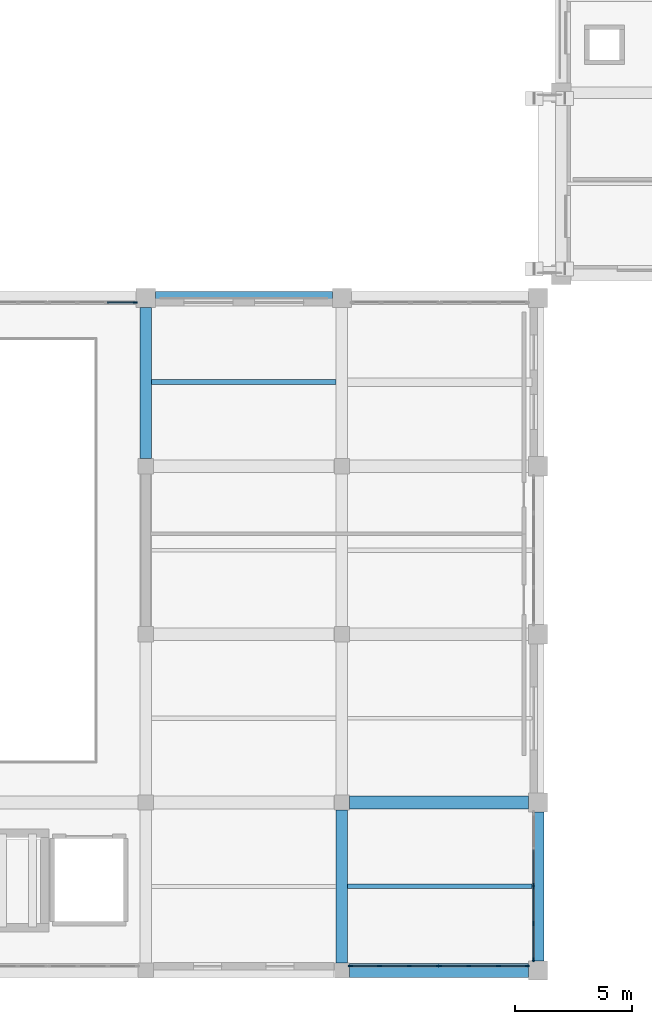
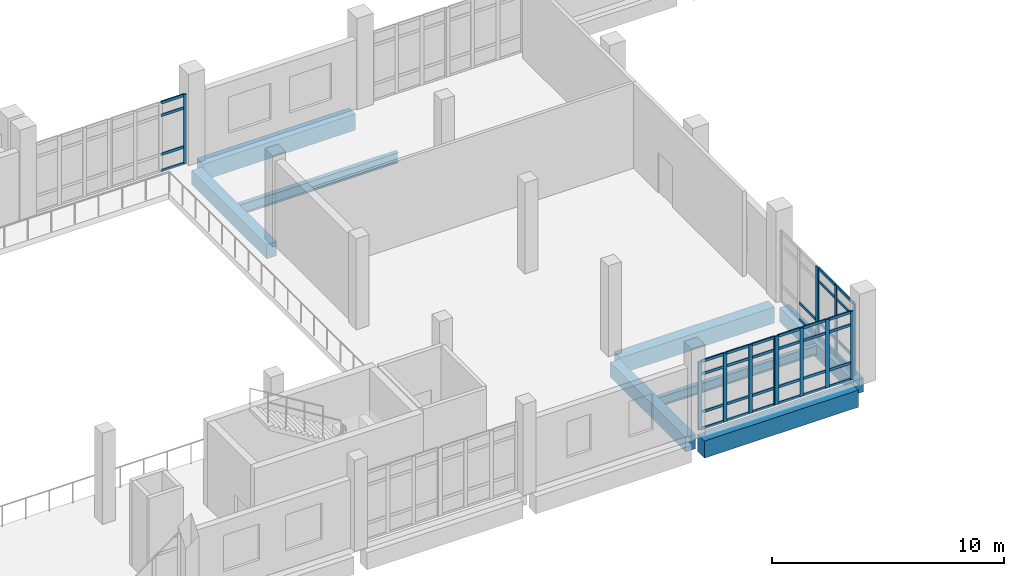
# One storey, part 6 of 90: 51 members, 8 beams, 5 elements without a shape of their own.
"""IFC4 building model written with IfcOpenShell, lengths in metres."""

from ifc_helpers import new_model, si_unit, direction, frame, origin, origin_2d, place, context, subcontext, project, spatial, rectangle, i_section, extrude, material, layer, layer_set, material_profile, profile_set, type_object, element, aggregate, save


model = new_model("IFC4")

# Units and contexts
model_context = context("Model", 3, precision=1e-05, world=origin(), true_north=direction((0.0, 1.0)))
body_context = subcontext(model_context, "Body", "Model", "MODEL_VIEW")
ifc_project = project(units=[si_unit("LENGTHUNIT", "METRE"), si_unit("AREAUNIT", "SQUARE_METRE"), si_unit("VOLUMEUNIT", "CUBIC_METRE"), si_unit("PLANEANGLEUNIT", "RADIAN"), si_unit("MASSUNIT", "GRAM", prefix="KILO")], contexts=[model_context])

# Site, building, storey
site_placement = place(None, origin())
site = spatial("IfcSite", under=ifc_project, at=site_placement, CompositionType="ELEMENT")
building_placement = place(site_placement, origin())
building = spatial("IfcBuilding", under=site, at=building_placement, Name="Kelarvand Opera House", CompositionType="ELEMENT")
storey_placement = place(building_placement, frame((0.0, 0.0, 5.39990234375)))
storey = spatial("IfcBuildingStorey", under=building, at=storey_placement, Name="L01", CompositionType="ELEMENT", Elevation=5.39990234375)

# Curtain wall, member
ifc_material_1 = material(Name="Thermally broken aluminium and low-E glazing", Category="aluminium")
ifc_layer_1 = layer(ifc_material_1, 0.179931640625, Name="Thermally broken aluminium and low-E glazing", Category="aluminium")
ifc_layer_set_1 = layer_set([ifc_layer_1], Name="Thermally broken aluminium and low-E glazing")
curtain_wall_type_1 = type_object("IfcCurtainWallType", Name="Unitised Low-E Curtain Wall 3776x3650 Mod 1350 CWF-27", PredefinedType="USERDEFINED", material=ifc_layer_set_1)
curtain_wall_1_placement = place(storey_placement, origin())
curtain_wall_1 = element("IfcCurtainWall", 1, at=curtain_wall_1_placement, inside=storey, type_object=curtain_wall_type_1, Name="V4 L01 Curtain Wall CWF-27 (126)", ObjectType="UNITISED CURTAIN WALL", PredefinedType="USERDEFINED")
ifc_material_2 = material(Name="Thermally broken anodised aluminium", Category="aluminium")
ifc_material_profile_1 = material_profile(ifc_material_2, rectangle(XDim=0.06494140625, YDim=0.179931640625, at=origin_2d()), Name="ALU MULLION 65x180", Category="aluminium")
ifc_profile_set_1 = profile_set([ifc_material_profile_1], Name="Thermally broken anodised aluminium")
member_type_1 = type_object("IfcMemberType", Name="Curtain Wall Mullion 65x180 Aluminium", PredefinedType="MULLION", material=ifc_profile_set_1)
member_1_placement = place(storey_placement, frame((33.74755859375, 37.6201171875, 0.0), z_axis=(0.0, 0.0, 1.0), x_axis=(0.0, 1.0, 0.0)))
member_1 = element("IfcMember", 2, at=member_1_placement, type_object=member_type_1, Name="CWF-27 mullion 4", PredefinedType="MULLION", context=body_context, shape_type="SweptSolid", body=[
    extrude(rectangle(XDim=0.06494140625, YDim=0.179931640625, at=origin_2d()), origin(), (0.0, 0.0, 1.0), 3.650146484375),
])

ifc_layer_2 = layer(ifc_material_1, 0.179931640625, Name="Thermally broken aluminium and low-E glazing", Category="aluminium")
ifc_layer_set_2 = layer_set([ifc_layer_2], Name="Thermally broken aluminium and low-E glazing")
curtain_wall_type_2 = type_object("IfcCurtainWallType", Name="Unitised Low-E Curtain Wall 3176x3730 Mod 1350 CWF-10", PredefinedType="USERDEFINED", material=ifc_layer_set_2)
curtain_wall_2_placement = place(storey_placement, origin())
curtain_wall_2 = element("IfcCurtainWall", 3, at=curtain_wall_2_placement, inside=storey, type_object=curtain_wall_type_2, Name="V4 L01 Curtain Wall CWF-10 (131)", ObjectType="UNITISED CURTAIN WALL", PredefinedType="USERDEFINED")
member_2_placement = place(storey_placement, frame((50.820068359375, 12.636474609375, 0.0), z_axis=(0.0, 0.0, 1.0), x_axis=(1.0, 0.0, 0.0)))
member_2 = element("IfcMember", 4, at=member_2_placement, type_object=member_type_1, Name="CWF-10 mullion 3", PredefinedType="MULLION", context=body_context, shape_type="SweptSolid", body=[
    extrude(rectangle(XDim=0.06494140625, YDim=0.179931640625, at=origin_2d()), origin(), (0.0, 0.0, 1.0), 3.75),
])

# Curtain wall, members
curtain_wall_3_placement = place(storey_placement, origin())
curtain_wall_3 = element("IfcCurtainWall", 5, at=curtain_wall_3_placement, inside=storey, type_object=curtain_wall_type_2, Name="V4 L01 Curtain Wall CWF-10 (132)", ObjectType="UNITISED CURTAIN WALL", PredefinedType="USERDEFINED")
member_3_placement = place(storey_placement, frame((50.820068359375, 12.5673828125, 0.0), z_axis=(0.0, 0.0, 1.0), x_axis=(1.0, 0.0, 0.0)))
member_3 = element("IfcMember", 6, at=member_3_placement, type_object=member_type_1, Name="CWF-10 mullion 1", PredefinedType="MULLION", context=body_context, shape_type="SweptSolid", body=[
    extrude(rectangle(XDim=0.06494140625, YDim=0.179931640625, at=origin_2d()), origin(), (0.0, 0.0, 1.0), 3.75),
])
member_4_placement = place(storey_placement, frame((50.820068359375, 11.010009765625, 0.0), z_axis=(0.0, 0.0, 1.0), x_axis=(1.0, 0.0, 0.0)))
member_4 = element("IfcMember", 7, at=member_4_placement, type_object=member_type_1, Name="CWF-10 mullion 2", PredefinedType="MULLION", context=body_context, shape_type="SweptSolid", body=[
    extrude(rectangle(XDim=0.06494140625, YDim=0.179931640625, at=origin_2d()), origin(), (0.0, 0.0, 1.0), 3.75),
])
member_5_placement = place(storey_placement, frame((50.820068359375, 9.452392578125, 0.0), z_axis=(0.0, 0.0, 1.0), x_axis=(1.0, 0.0, 0.0)))
member_5 = element("IfcMember", 8, at=member_5_placement, type_object=member_type_1, Name="CWF-10 mullion 3", PredefinedType="MULLION", context=body_context, shape_type="SweptSolid", body=[
    extrude(rectangle(XDim=0.06494140625, YDim=0.179931640625, at=origin_2d()), origin(), (0.0, 0.0, 1.0), 3.75),
])

ifc_layer_3 = layer(ifc_material_1, 0.179931640625, Name="Thermally broken aluminium and low-E glazing", Category="aluminium")
ifc_layer_set_3 = layer_set([ifc_layer_3], Name="Thermally broken aluminium and low-E glazing")
curtain_wall_type_3 = type_object("IfcCurtainWallType", Name="Unitised Low-E Curtain Wall 3818x3600 Mod 1350 CWF-18", PredefinedType="USERDEFINED", material=ifc_layer_set_3)
curtain_wall_4_placement = place(storey_placement, origin())
curtain_wall_4 = element("IfcCurtainWall", 9, at=curtain_wall_4_placement, inside=storey, type_object=curtain_wall_type_3, Name="V4 L01 Curtain Wall CWF-18 (133)", ObjectType="UNITISED CURTAIN WALL", PredefinedType="USERDEFINED")
member_6_placement = place(storey_placement, frame((50.547607421875, 9.179931640625, 0.0), z_axis=(0.0, 0.0, 1.0), x_axis=(0.0, -1.0, 0.0)))
member_6 = element("IfcMember", 10, at=member_6_placement, type_object=member_type_1, Name="CWF-18 mullion 1", PredefinedType="MULLION", context=body_context, shape_type="SweptSolid", body=[
    extrude(rectangle(XDim=0.06494140625, YDim=0.179931640625, at=origin_2d()), origin(), (0.0, 0.0, 1.0), 3.60009765625),
])
member_7_placement = place(storey_placement, frame((49.30712890625, 9.179931640625, 0.0), z_axis=(0.0, 0.0, 1.0), x_axis=(0.0, -1.0, 0.0)))
member_7 = element("IfcMember", 11, at=member_7_placement, type_object=member_type_1, Name="CWF-18 mullion 2", PredefinedType="MULLION", context=body_context, shape_type="SweptSolid", body=[
    extrude(rectangle(XDim=0.06494140625, YDim=0.179931640625, at=origin_2d()), origin(), (0.0, 0.0, 1.0), 3.60009765625),
])
member_8_placement = place(storey_placement, frame((48.034423828125, 9.179931640625, 0.0), z_axis=(0.0, 0.0, 1.0), x_axis=(0.0, -1.0, 0.0)))
member_8 = element("IfcMember", 12, at=member_8_placement, type_object=member_type_1, Name="CWF-18 mullion 3", PredefinedType="MULLION", context=body_context, shape_type="SweptSolid", body=[
    extrude(rectangle(XDim=0.06494140625, YDim=0.179931640625, at=origin_2d()), origin(), (0.0, 0.0, 1.0), 3.60009765625),
])
member_9_placement = place(storey_placement, frame((46.7939453125, 9.179931640625, 0.0), z_axis=(0.0, 0.0, 1.0), x_axis=(0.0, -1.0, 0.0)))
member_9 = element("IfcMember", 13, at=member_9_placement, type_object=member_type_1, Name="CWF-18 mullion 4", PredefinedType="MULLION", context=body_context, shape_type="SweptSolid", body=[
    extrude(rectangle(XDim=0.06494140625, YDim=0.179931640625, at=origin_2d()), origin(), (0.0, 0.0, 1.0), 3.60009765625),
])

curtain_wall_5_placement = place(storey_placement, origin())
curtain_wall_5 = element("IfcCurtainWall", 14, at=curtain_wall_5_placement, inside=storey, type_object=curtain_wall_type_3, Name="V4 L01 Curtain Wall CWF-18 (134)", ObjectType="UNITISED CURTAIN WALL", PredefinedType="USERDEFINED")
member_10_placement = place(storey_placement, frame((46.72509765625, 9.179931640625, 0.0), z_axis=(0.0, 0.0, 1.0), x_axis=(0.0, -1.0, 0.0)))
member_10 = element("IfcMember", 15, at=member_10_placement, type_object=member_type_1, Name="CWF-18 mullion 1", PredefinedType="MULLION", context=body_context, shape_type="SweptSolid", body=[
    extrude(rectangle(XDim=0.06494140625, YDim=0.179931640625, at=origin_2d()), origin(), (0.0, 0.0, 1.0), 3.60009765625),
])
member_11_placement = place(storey_placement, frame((45.4833984375, 9.179931640625, 0.0), z_axis=(0.0, 0.0, 1.0), x_axis=(0.0, -1.0, 0.0)))
member_11 = element("IfcMember", 16, at=member_11_placement, type_object=member_type_1, Name="CWF-18 mullion 2", PredefinedType="MULLION", context=body_context, shape_type="SweptSolid", body=[
    extrude(rectangle(XDim=0.06494140625, YDim=0.179931640625, at=origin_2d()), origin(), (0.0, 0.0, 1.0), 3.60009765625),
])
member_12_placement = place(storey_placement, frame((44.209228515625, 9.179931640625, 0.0), z_axis=(0.0, 0.0, 1.0), x_axis=(0.0, -1.0, 0.0)))
member_12 = element("IfcMember", 17, at=member_12_placement, type_object=member_type_1, Name="CWF-18 mullion 3", PredefinedType="MULLION", context=body_context, shape_type="SweptSolid", body=[
    extrude(rectangle(XDim=0.06494140625, YDim=0.179931640625, at=origin_2d()), origin(), (0.0, 0.0, 1.0), 3.60009765625),
])
member_13_placement = place(storey_placement, frame((42.967529296875, 9.179931640625, 0.0), z_axis=(0.0, 0.0, 1.0), x_axis=(0.0, -1.0, 0.0)))
member_13 = element("IfcMember", 18, at=member_13_placement, type_object=member_type_1, Name="CWF-18 mullion 4", PredefinedType="MULLION", context=body_context, shape_type="SweptSolid", body=[
    extrude(rectangle(XDim=0.06494140625, YDim=0.179931640625, at=origin_2d()), origin(), (0.0, 0.0, 1.0), 3.60009765625),
])

# Member
ifc_material_profile_2 = material_profile(ifc_material_2, rectangle(XDim=0.06494140625, YDim=0.139892578125, at=origin_2d()), Name="ALU TRANSOM 65x140", Category="aluminium")
ifc_profile_set_2 = profile_set([ifc_material_profile_2], Name="Thermally broken anodised aluminium")
member_type_2 = type_object("IfcMemberType", Name="Curtain Wall Transom 65x140 Aluminium", PredefinedType="USERDEFINED", material=ifc_profile_set_2)
member_14_placement = place(storey_placement, frame((32.552490234375, 37.6201171875, 0.03271484375), z_axis=(1.0, 0.0, 0.0), x_axis=(0.0, 1.0, 0.0)))
member_14 = element("IfcMember", 19, at=member_14_placement, type_object=member_type_2, Name="CWF-27 transom 3.1", ObjectType="TRANSOM", PredefinedType="USERDEFINED", context=body_context, shape_type="SweptSolid", body=[
    extrude(rectangle(XDim=0.06494140625, YDim=0.139892578125, at=origin_2d()), origin(), (0.0, 0.0, 1.0), 1.16259765625),
])

member_15_placement = place(storey_placement, frame((32.552490234375, 37.6201171875, 0.900146484375), z_axis=(1.0, 0.0, 0.0), x_axis=(0.0, 1.0, 0.0)))
member_15 = element("IfcMember", 20, at=member_15_placement, type_object=member_type_2, Name="CWF-27 transom 3.2", ObjectType="TRANSOM", PredefinedType="USERDEFINED", context=body_context, shape_type="SweptSolid", body=[
    extrude(rectangle(XDim=0.06494140625, YDim=0.139892578125, at=origin_2d()), origin(), (0.0, 0.0, 1.0), 1.16259765625),
])

member_16_placement = place(storey_placement, frame((32.552490234375, 37.6201171875, 2.9501953125), z_axis=(1.0, 0.0, 0.0), x_axis=(0.0, 1.0, 0.0)))
member_16 = element("IfcMember", 21, at=member_16_placement, type_object=member_type_2, Name="CWF-27 transom 3.3", ObjectType="TRANSOM", PredefinedType="USERDEFINED", context=body_context, shape_type="SweptSolid", body=[
    extrude(rectangle(XDim=0.06494140625, YDim=0.139892578125, at=origin_2d()), origin(), (0.0, 0.0, 1.0), 1.16259765625),
])

member_17_placement = place(storey_placement, frame((32.552490234375, 37.6201171875, 3.61767578125), z_axis=(1.0, 0.0, 0.0), x_axis=(0.0, 1.0, 0.0)))
member_17 = element("IfcMember", 22, at=member_17_placement, type_object=member_type_2, Name="CWF-27 transom 3.4", ObjectType="TRANSOM", PredefinedType="USERDEFINED", context=body_context, shape_type="SweptSolid", body=[
    extrude(rectangle(XDim=0.06494140625, YDim=0.139892578125, at=origin_2d()), origin(), (0.0, 0.0, 1.0), 1.16259765625),
])

aggregate(curtain_wall_1, [member_1, member_14, member_15, member_16, member_17])

member_18_placement = place(storey_placement, frame((50.820068359375, 14.159423828125, 0.03271484375), z_axis=(0.0, -1.0, 0.0), x_axis=(1.0, 0.0, 0.0)))
member_18 = element("IfcMember", 23, at=member_18_placement, type_object=member_type_2, Name="CWF-10 transom 2.1", ObjectType="TRANSOM", PredefinedType="USERDEFINED", context=body_context, shape_type="SweptSolid", body=[
    extrude(rectangle(XDim=0.06494140625, YDim=0.139892578125, at=origin_2d()), origin(), (0.0, 0.0, 1.0), 1.490478515625),
])

member_19_placement = place(storey_placement, frame((50.820068359375, 14.159423828125, 0.900146484375), z_axis=(0.0, -1.0, 0.0), x_axis=(1.0, 0.0, 0.0)))
member_19 = element("IfcMember", 24, at=member_19_placement, type_object=member_type_2, Name="CWF-10 transom 2.2", ObjectType="TRANSOM", PredefinedType="USERDEFINED", context=body_context, shape_type="SweptSolid", body=[
    extrude(rectangle(XDim=0.06494140625, YDim=0.139892578125, at=origin_2d()), origin(), (0.0, 0.0, 1.0), 1.490478515625),
])

aggregate(curtain_wall_2, [member_2, member_18, member_19])

member_20_placement = place(storey_placement, frame((50.820068359375, 12.534912109375, 0.03271484375), z_axis=(0.0, -1.0, 0.0), x_axis=(1.0, 0.0, 0.0)))
member_20 = element("IfcMember", 25, at=member_20_placement, type_object=member_type_2, Name="CWF-10 transom 1.1", ObjectType="TRANSOM", PredefinedType="USERDEFINED", context=body_context, shape_type="SweptSolid", body=[
    extrude(rectangle(XDim=0.06494140625, YDim=0.139892578125, at=origin_2d()), origin(), (0.0, 0.0, 1.0), 1.492431640625),
])

member_21_placement = place(storey_placement, frame((50.820068359375, 12.534912109375, 0.900146484375), z_axis=(0.0, -1.0, 0.0), x_axis=(1.0, 0.0, 0.0)))
member_21 = element("IfcMember", 26, at=member_21_placement, type_object=member_type_2, Name="CWF-10 transom 1.2", ObjectType="TRANSOM", PredefinedType="USERDEFINED", context=body_context, shape_type="SweptSolid", body=[
    extrude(rectangle(XDim=0.06494140625, YDim=0.139892578125, at=origin_2d()), origin(), (0.0, 0.0, 1.0), 1.492431640625),
])

member_22_placement = place(storey_placement, frame((50.820068359375, 12.534912109375, 3.050048828125), z_axis=(0.0, -1.0, 0.0), x_axis=(1.0, 0.0, 0.0)))
member_22 = element("IfcMember", 27, at=member_22_placement, type_object=member_type_2, Name="CWF-10 transom 1.3", ObjectType="TRANSOM", PredefinedType="USERDEFINED", context=body_context, shape_type="SweptSolid", body=[
    extrude(rectangle(XDim=0.06494140625, YDim=0.139892578125, at=origin_2d()), origin(), (0.0, 0.0, 1.0), 1.492431640625),
])

member_23_placement = place(storey_placement, frame((50.820068359375, 12.534912109375, 3.717529296875), z_axis=(0.0, -1.0, 0.0), x_axis=(1.0, 0.0, 0.0)))
member_23 = element("IfcMember", 28, at=member_23_placement, type_object=member_type_2, Name="CWF-10 transom 1.4", ObjectType="TRANSOM", PredefinedType="USERDEFINED", context=body_context, shape_type="SweptSolid", body=[
    extrude(rectangle(XDim=0.06494140625, YDim=0.139892578125, at=origin_2d()), origin(), (0.0, 0.0, 1.0), 1.492431640625),
])

member_24_placement = place(storey_placement, frame((50.820068359375, 10.9775390625, 0.03271484375), z_axis=(0.0, -1.0, 0.0), x_axis=(1.0, 0.0, 0.0)))
member_24 = element("IfcMember", 29, at=member_24_placement, type_object=member_type_2, Name="CWF-10 transom 2.1", ObjectType="TRANSOM", PredefinedType="USERDEFINED", context=body_context, shape_type="SweptSolid", body=[
    extrude(rectangle(XDim=0.06494140625, YDim=0.139892578125, at=origin_2d()), origin(), (0.0, 0.0, 1.0), 1.492431640625),
])

member_25_placement = place(storey_placement, frame((50.820068359375, 10.9775390625, 0.900146484375), z_axis=(0.0, -1.0, 0.0), x_axis=(1.0, 0.0, 0.0)))
member_25 = element("IfcMember", 30, at=member_25_placement, type_object=member_type_2, Name="CWF-10 transom 2.2", ObjectType="TRANSOM", PredefinedType="USERDEFINED", context=body_context, shape_type="SweptSolid", body=[
    extrude(rectangle(XDim=0.06494140625, YDim=0.139892578125, at=origin_2d()), origin(), (0.0, 0.0, 1.0), 1.492431640625),
])

member_26_placement = place(storey_placement, frame((50.820068359375, 10.9775390625, 3.050048828125), z_axis=(0.0, -1.0, 0.0), x_axis=(1.0, 0.0, 0.0)))
member_26 = element("IfcMember", 31, at=member_26_placement, type_object=member_type_2, Name="CWF-10 transom 2.3", ObjectType="TRANSOM", PredefinedType="USERDEFINED", context=body_context, shape_type="SweptSolid", body=[
    extrude(rectangle(XDim=0.06494140625, YDim=0.139892578125, at=origin_2d()), origin(), (0.0, 0.0, 1.0), 1.492431640625),
])

member_27_placement = place(storey_placement, frame((50.820068359375, 10.9775390625, 3.717529296875), z_axis=(0.0, -1.0, 0.0), x_axis=(1.0, 0.0, 0.0)))
member_27 = element("IfcMember", 32, at=member_27_placement, type_object=member_type_2, Name="CWF-10 transom 2.4", ObjectType="TRANSOM", PredefinedType="USERDEFINED", context=body_context, shape_type="SweptSolid", body=[
    extrude(rectangle(XDim=0.06494140625, YDim=0.139892578125, at=origin_2d()), origin(), (0.0, 0.0, 1.0), 1.492431640625),
])

aggregate(curtain_wall_3, [member_3, member_4, member_5, member_20, member_21, member_22, member_23, member_24, member_25, member_26, member_27])

member_28_placement = place(storey_placement, frame((50.514892578125, 9.179931640625, 0.03271484375), z_axis=(-1.0, 0.0, 0.0), x_axis=(0.0, -1.0, 0.0)))
member_28 = element("IfcMember", 33, at=member_28_placement, type_object=member_type_2, Name="CWF-18 transom 1.1", ObjectType="TRANSOM", PredefinedType="USERDEFINED", context=body_context, shape_type="SweptSolid", body=[
    extrude(rectangle(XDim=0.06494140625, YDim=0.139892578125, at=origin_2d()), origin(), (0.0, 0.0, 1.0), 1.17529296875),
])

member_29_placement = place(storey_placement, frame((50.514892578125, 9.179931640625, 0.900146484375), z_axis=(-1.0, 0.0, 0.0), x_axis=(0.0, -1.0, 0.0)))
member_29 = element("IfcMember", 34, at=member_29_placement, type_object=member_type_2, Name="CWF-18 transom 1.2", ObjectType="TRANSOM", PredefinedType="USERDEFINED", context=body_context, shape_type="SweptSolid", body=[
    extrude(rectangle(XDim=0.06494140625, YDim=0.139892578125, at=origin_2d()), origin(), (0.0, 0.0, 1.0), 1.17529296875),
])

member_30_placement = place(storey_placement, frame((50.514892578125, 9.179931640625, 2.900146484375), z_axis=(-1.0, 0.0, 0.0), x_axis=(0.0, -1.0, 0.0)))
member_30 = element("IfcMember", 35, at=member_30_placement, type_object=member_type_2, Name="CWF-18 transom 1.3", ObjectType="TRANSOM", PredefinedType="USERDEFINED", context=body_context, shape_type="SweptSolid", body=[
    extrude(rectangle(XDim=0.06494140625, YDim=0.139892578125, at=origin_2d()), origin(), (0.0, 0.0, 1.0), 1.17529296875),
])

member_31_placement = place(storey_placement, frame((50.514892578125, 9.179931640625, 3.567626953125), z_axis=(-1.0, 0.0, 0.0), x_axis=(0.0, -1.0, 0.0)))
member_31 = element("IfcMember", 36, at=member_31_placement, type_object=member_type_2, Name="CWF-18 transom 1.4", ObjectType="TRANSOM", PredefinedType="USERDEFINED", context=body_context, shape_type="SweptSolid", body=[
    extrude(rectangle(XDim=0.06494140625, YDim=0.139892578125, at=origin_2d()), origin(), (0.0, 0.0, 1.0), 1.17529296875),
])

member_32_placement = place(storey_placement, frame((49.274658203125, 9.179931640625, 0.03271484375), z_axis=(-1.0, 0.0, 0.0), x_axis=(0.0, -1.0, 0.0)))
member_32 = element("IfcMember", 37, at=member_32_placement, type_object=member_type_2, Name="CWF-18 transom 2.1", ObjectType="TRANSOM", PredefinedType="USERDEFINED", context=body_context, shape_type="SweptSolid", body=[
    extrude(rectangle(XDim=0.06494140625, YDim=0.139892578125, at=origin_2d()), origin(), (0.0, 0.0, 1.0), 1.207763671875),
])

member_33_placement = place(storey_placement, frame((49.274658203125, 9.179931640625, 0.900146484375), z_axis=(-1.0, 0.0, 0.0), x_axis=(0.0, -1.0, 0.0)))
member_33 = element("IfcMember", 38, at=member_33_placement, type_object=member_type_2, Name="CWF-18 transom 2.2", ObjectType="TRANSOM", PredefinedType="USERDEFINED", context=body_context, shape_type="SweptSolid", body=[
    extrude(rectangle(XDim=0.06494140625, YDim=0.139892578125, at=origin_2d()), origin(), (0.0, 0.0, 1.0), 1.207763671875),
])

member_34_placement = place(storey_placement, frame((49.274658203125, 9.179931640625, 2.900146484375), z_axis=(-1.0, 0.0, 0.0), x_axis=(0.0, -1.0, 0.0)))
member_34 = element("IfcMember", 39, at=member_34_placement, type_object=member_type_2, Name="CWF-18 transom 2.3", ObjectType="TRANSOM", PredefinedType="USERDEFINED", context=body_context, shape_type="SweptSolid", body=[
    extrude(rectangle(XDim=0.06494140625, YDim=0.139892578125, at=origin_2d()), origin(), (0.0, 0.0, 1.0), 1.207763671875),
])

member_35_placement = place(storey_placement, frame((49.274658203125, 9.179931640625, 3.567626953125), z_axis=(-1.0, 0.0, 0.0), x_axis=(0.0, -1.0, 0.0)))
member_35 = element("IfcMember", 40, at=member_35_placement, type_object=member_type_2, Name="CWF-18 transom 2.4", ObjectType="TRANSOM", PredefinedType="USERDEFINED", context=body_context, shape_type="SweptSolid", body=[
    extrude(rectangle(XDim=0.06494140625, YDim=0.139892578125, at=origin_2d()), origin(), (0.0, 0.0, 1.0), 1.207763671875),
])

member_36_placement = place(storey_placement, frame((48.001953125, 9.179931640625, 0.03271484375), z_axis=(-1.0, 0.0, 0.0), x_axis=(0.0, -1.0, 0.0)))
member_36 = element("IfcMember", 41, at=member_36_placement, type_object=member_type_2, Name="CWF-18 transom 3.1", ObjectType="TRANSOM", PredefinedType="USERDEFINED", context=body_context, shape_type="SweptSolid", body=[
    extrude(rectangle(XDim=0.06494140625, YDim=0.139892578125, at=origin_2d()), origin(), (0.0, 0.0, 1.0), 1.175537109375),
])

member_37_placement = place(storey_placement, frame((48.001953125, 9.179931640625, 0.900146484375), z_axis=(-1.0, 0.0, 0.0), x_axis=(0.0, -1.0, 0.0)))
member_37 = element("IfcMember", 42, at=member_37_placement, type_object=member_type_2, Name="CWF-18 transom 3.2", ObjectType="TRANSOM", PredefinedType="USERDEFINED", context=body_context, shape_type="SweptSolid", body=[
    extrude(rectangle(XDim=0.06494140625, YDim=0.139892578125, at=origin_2d()), origin(), (0.0, 0.0, 1.0), 1.175537109375),
])

member_38_placement = place(storey_placement, frame((48.001953125, 9.179931640625, 2.900146484375), z_axis=(-1.0, 0.0, 0.0), x_axis=(0.0, -1.0, 0.0)))
member_38 = element("IfcMember", 43, at=member_38_placement, type_object=member_type_2, Name="CWF-18 transom 3.3", ObjectType="TRANSOM", PredefinedType="USERDEFINED", context=body_context, shape_type="SweptSolid", body=[
    extrude(rectangle(XDim=0.06494140625, YDim=0.139892578125, at=origin_2d()), origin(), (0.0, 0.0, 1.0), 1.175537109375),
])

member_39_placement = place(storey_placement, frame((48.001953125, 9.179931640625, 3.567626953125), z_axis=(-1.0, 0.0, 0.0), x_axis=(0.0, -1.0, 0.0)))
member_39 = element("IfcMember", 44, at=member_39_placement, type_object=member_type_2, Name="CWF-18 transom 3.4", ObjectType="TRANSOM", PredefinedType="USERDEFINED", context=body_context, shape_type="SweptSolid", body=[
    extrude(rectangle(XDim=0.06494140625, YDim=0.139892578125, at=origin_2d()), origin(), (0.0, 0.0, 1.0), 1.175537109375),
])

aggregate(curtain_wall_4, [member_6, member_7, member_8, member_9, member_28, member_29, member_30, member_31, member_32, member_33, member_34, member_35, member_36, member_37, member_38, member_39])

member_40_placement = place(storey_placement, frame((46.6923828125, 9.179931640625, 0.03271484375), z_axis=(-1.0, 0.0, 0.0), x_axis=(0.0, -1.0, 0.0)))
member_40 = element("IfcMember", 45, at=member_40_placement, type_object=member_type_2, Name="CWF-18 transom 1.1", ObjectType="TRANSOM", PredefinedType="USERDEFINED", context=body_context, shape_type="SweptSolid", body=[
    extrude(rectangle(XDim=0.06494140625, YDim=0.139892578125, at=origin_2d()), origin(), (0.0, 0.0, 1.0), 1.176513671875),
])

member_41_placement = place(storey_placement, frame((46.6923828125, 9.179931640625, 0.900146484375), z_axis=(-1.0, 0.0, 0.0), x_axis=(0.0, -1.0, 0.0)))
member_41 = element("IfcMember", 46, at=member_41_placement, type_object=member_type_2, Name="CWF-18 transom 1.2", ObjectType="TRANSOM", PredefinedType="USERDEFINED", context=body_context, shape_type="SweptSolid", body=[
    extrude(rectangle(XDim=0.06494140625, YDim=0.139892578125, at=origin_2d()), origin(), (0.0, 0.0, 1.0), 1.176513671875),
])

member_42_placement = place(storey_placement, frame((46.6923828125, 9.179931640625, 2.900146484375), z_axis=(-1.0, 0.0, 0.0), x_axis=(0.0, -1.0, 0.0)))
member_42 = element("IfcMember", 47, at=member_42_placement, type_object=member_type_2, Name="CWF-18 transom 1.3", ObjectType="TRANSOM", PredefinedType="USERDEFINED", context=body_context, shape_type="SweptSolid", body=[
    extrude(rectangle(XDim=0.06494140625, YDim=0.139892578125, at=origin_2d()), origin(), (0.0, 0.0, 1.0), 1.176513671875),
])

member_43_placement = place(storey_placement, frame((46.6923828125, 9.179931640625, 3.567626953125), z_axis=(-1.0, 0.0, 0.0), x_axis=(0.0, -1.0, 0.0)))
member_43 = element("IfcMember", 48, at=member_43_placement, type_object=member_type_2, Name="CWF-18 transom 1.4", ObjectType="TRANSOM", PredefinedType="USERDEFINED", context=body_context, shape_type="SweptSolid", body=[
    extrude(rectangle(XDim=0.06494140625, YDim=0.139892578125, at=origin_2d()), origin(), (0.0, 0.0, 1.0), 1.176513671875),
])

member_44_placement = place(storey_placement, frame((45.450927734375, 9.179931640625, 0.03271484375), z_axis=(-1.0, 0.0, 0.0), x_axis=(0.0, -1.0, 0.0)))
member_44 = element("IfcMember", 49, at=member_44_placement, type_object=member_type_2, Name="CWF-18 transom 2.1", ObjectType="TRANSOM", PredefinedType="USERDEFINED", context=body_context, shape_type="SweptSolid", body=[
    extrude(rectangle(XDim=0.06494140625, YDim=0.139892578125, at=origin_2d()), origin(), (0.0, 0.0, 1.0), 1.209228515625),
])

member_45_placement = place(storey_placement, frame((45.450927734375, 9.179931640625, 0.900146484375), z_axis=(-1.0, 0.0, 0.0), x_axis=(0.0, -1.0, 0.0)))
member_45 = element("IfcMember", 50, at=member_45_placement, type_object=member_type_2, Name="CWF-18 transom 2.2", ObjectType="TRANSOM", PredefinedType="USERDEFINED", context=body_context, shape_type="SweptSolid", body=[
    extrude(rectangle(XDim=0.06494140625, YDim=0.139892578125, at=origin_2d()), origin(), (0.0, 0.0, 1.0), 1.209228515625),
])

member_46_placement = place(storey_placement, frame((45.450927734375, 9.179931640625, 2.900146484375), z_axis=(-1.0, 0.0, 0.0), x_axis=(0.0, -1.0, 0.0)))
member_46 = element("IfcMember", 51, at=member_46_placement, type_object=member_type_2, Name="CWF-18 transom 2.3", ObjectType="TRANSOM", PredefinedType="USERDEFINED", context=body_context, shape_type="SweptSolid", body=[
    extrude(rectangle(XDim=0.06494140625, YDim=0.139892578125, at=origin_2d()), origin(), (0.0, 0.0, 1.0), 1.209228515625),
])

member_47_placement = place(storey_placement, frame((45.450927734375, 9.179931640625, 3.567626953125), z_axis=(-1.0, 0.0, 0.0), x_axis=(0.0, -1.0, 0.0)))
member_47 = element("IfcMember", 52, at=member_47_placement, type_object=member_type_2, Name="CWF-18 transom 2.4", ObjectType="TRANSOM", PredefinedType="USERDEFINED", context=body_context, shape_type="SweptSolid", body=[
    extrude(rectangle(XDim=0.06494140625, YDim=0.139892578125, at=origin_2d()), origin(), (0.0, 0.0, 1.0), 1.209228515625),
])

member_48_placement = place(storey_placement, frame((44.1767578125, 9.179931640625, 0.03271484375), z_axis=(-1.0, 0.0, 0.0), x_axis=(0.0, -1.0, 0.0)))
member_48 = element("IfcMember", 53, at=member_48_placement, type_object=member_type_2, Name="CWF-18 transom 3.1", ObjectType="TRANSOM", PredefinedType="USERDEFINED", context=body_context, shape_type="SweptSolid", body=[
    extrude(rectangle(XDim=0.06494140625, YDim=0.139892578125, at=origin_2d()), origin(), (0.0, 0.0, 1.0), 1.1767578125),
])

member_49_placement = place(storey_placement, frame((44.1767578125, 9.179931640625, 0.900146484375), z_axis=(-1.0, 0.0, 0.0), x_axis=(0.0, -1.0, 0.0)))
member_49 = element("IfcMember", 54, at=member_49_placement, type_object=member_type_2, Name="CWF-18 transom 3.2", ObjectType="TRANSOM", PredefinedType="USERDEFINED", context=body_context, shape_type="SweptSolid", body=[
    extrude(rectangle(XDim=0.06494140625, YDim=0.139892578125, at=origin_2d()), origin(), (0.0, 0.0, 1.0), 1.1767578125),
])

member_50_placement = place(storey_placement, frame((44.1767578125, 9.179931640625, 2.900146484375), z_axis=(-1.0, 0.0, 0.0), x_axis=(0.0, -1.0, 0.0)))
member_50 = element("IfcMember", 55, at=member_50_placement, type_object=member_type_2, Name="CWF-18 transom 3.3", ObjectType="TRANSOM", PredefinedType="USERDEFINED", context=body_context, shape_type="SweptSolid", body=[
    extrude(rectangle(XDim=0.06494140625, YDim=0.139892578125, at=origin_2d()), origin(), (0.0, 0.0, 1.0), 1.1767578125),
])

member_51_placement = place(storey_placement, frame((44.1767578125, 9.179931640625, 3.567626953125), z_axis=(-1.0, 0.0, 0.0), x_axis=(0.0, -1.0, 0.0)))
member_51 = element("IfcMember", 56, at=member_51_placement, type_object=member_type_2, Name="CWF-18 transom 3.4", ObjectType="TRANSOM", PredefinedType="USERDEFINED", context=body_context, shape_type="SweptSolid", body=[
    extrude(rectangle(XDim=0.06494140625, YDim=0.139892578125, at=origin_2d()), origin(), (0.0, 0.0, 1.0), 1.1767578125),
])

aggregate(curtain_wall_5, [member_10, member_11, member_12, member_13, member_40, member_41, member_42, member_43, member_44, member_45, member_46, member_47, member_48, member_49, member_50, member_51])

# Beams
ifc_material_3 = material(Name="Concrete C40/50", Category="concrete")
ifc_material_profile_3 = material_profile(ifc_material_3, rectangle(XDim=0.5, YDim=0.75, at=origin_2d()), Name="RC 500x750", Category="concrete")
ifc_profile_set_3 = profile_set([ifc_material_profile_3], Name="Concrete C40/50")
beam_type_1 = type_object("IfcBeamType", Name="Structural Beam RC 500x750 BM-RC500x750", PredefinedType="BEAM", material=ifc_profile_set_3)
beam_1_placement = place(storey_placement, frame((34.199951171875, 30.925048828125, -0.6748046875), z_axis=(0.0, 1.0, 0.0), x_axis=(-1.0, 0.0, 0.0)))
element("IfcBeam", 57, at=beam_1_placement, inside=storey, type_object=beam_type_1, Name="V4 L01 Beam BM-RC500x750", PredefinedType="BEAM", context=body_context, shape_type="SweptSolid", body=[
    extrude(rectangle(XDim=0.5, YDim=0.75, at=origin_2d()), origin(), (0.0, 0.0, 1.0), 6.46484375),
])
beam_2_placement = place(storey_placement, frame((42.60009765625, 9.324951171875, -0.6748046875), z_axis=(0.0, 1.0, 0.0), x_axis=(-1.0, 0.0, 0.0)))
element("IfcBeam", 58, at=beam_2_placement, inside=storey, type_object=beam_type_1, Name="V4 L01 Beam BM-RC500x750", PredefinedType="BEAM", context=body_context, shape_type="SweptSolid", body=[
    extrude(rectangle(XDim=0.5, YDim=0.75, at=origin_2d()), origin(), (0.0, 0.0, 1.0), 6.550048828125),
])
ifc_material_profile_4 = material_profile(ifc_material_3, rectangle(XDim=0.550048828125, YDim=0.85009765625, at=origin_2d()), Name="RC 550x850", Category="concrete")
ifc_profile_set_4 = profile_set([ifc_material_profile_4], Name="Concrete C40/50")
beam_type_2 = type_object("IfcBeamType", Name="Structural Beam RC 550x850 BM-RC550x850", PredefinedType="BEAM", material=ifc_profile_set_4)
beam_3_placement = place(storey_placement, frame((42.925048828125, 16.199951171875, -0.724853515625), z_axis=(1.0, 0.0, 0.0), x_axis=(0.0, 1.0, 0.0)))
element("IfcBeam", 59, at=beam_3_placement, inside=storey, type_object=beam_type_2, Name="V4 L01 Beam BM-RC550x850", PredefinedType="BEAM", context=body_context, shape_type="SweptSolid", body=[
    extrude(rectangle(XDim=0.550048828125, YDim=0.85009765625, at=origin_2d()), origin(), (0.0, 0.0, 1.0), 7.6650390625),
])
beam_4_placement = place(storey_placement, frame((34.610107421875, 37.800048828125, -0.724853515625), z_axis=(1.0, 0.0, 0.0), x_axis=(0.0, 1.0, 0.0)))
element("IfcBeam", 60, at=beam_4_placement, inside=storey, type_object=beam_type_2, Name="V4 L01 Beam BM-RC550x850", PredefinedType="BEAM", context=body_context, shape_type="SweptSolid", body=[
    extrude(rectangle(XDim=0.550048828125, YDim=0.85009765625, at=origin_2d()), origin(), (0.0, 0.0, 1.0), 7.579833984375),
])
ifc_material_4 = material(Name="Steel S355", Category="steel")
ifc_material_profile_5 = material_profile(ifc_material_4, i_section(OverallWidth=0.199951171875, OverallDepth=0.5, WebThickness=0.01025390625, FlangeThickness=0.01611328125, at=origin_2d()), Name="IPE 500", Category="steel")
ifc_profile_set_5 = profile_set([ifc_material_profile_5], Name="Steel S355")
beam_type_3 = type_object("IfcBeamType", Name="Structural Joist IPE 500 JS-IPE500", PredefinedType="JOIST", material=ifc_profile_set_5)
beam_5_placement = place(storey_placement, frame((42.85009765625, 12.60009765625, -0.5498046875), z_axis=(1.0, 0.0, 0.0), x_axis=(0.0, 1.0, 0.0)))
element("IfcBeam", 61, at=beam_5_placement, inside=storey, type_object=beam_type_3, Name="V4 L01 Beam JS-IPE500", PredefinedType="JOIST", context=body_context, shape_type="SweptSolid", body=[
    extrude(i_section(OverallWidth=0.199951171875, OverallDepth=0.5, WebThickness=0.01025390625, FlangeThickness=0.01611328125, at=origin_2d()), origin(), (0.0, 0.0, 1.0), 7.89990234375),
])
ifc_material_profile_6 = material_profile(ifc_material_4, i_section(OverallWidth=0.2099609375, OverallDepth=0.550048828125, WebThickness=0.010986328125, FlangeThickness=0.01708984375, at=origin_2d()), Name="IPE 550", Category="steel")
ifc_profile_set_6 = profile_set([ifc_material_profile_6], Name="Steel S355")
beam_type_4 = type_object("IfcBeamType", Name="Structural Joist IPE 550 JS-IPE550", PredefinedType="JOIST", material=ifc_profile_set_6)
beam_6_placement = place(storey_placement, frame((34.449951171875, 34.199951171875, -0.574951171875), z_axis=(1.0, 0.0, 0.0), x_axis=(0.0, 1.0, 0.0)))
element("IfcBeam", 62, at=beam_6_placement, inside=storey, type_object=beam_type_4, Name="V4 L01 Beam JS-IPE550", PredefinedType="JOIST", context=body_context, shape_type="SweptSolid", body=[
    extrude(i_section(OverallWidth=0.2099609375, OverallDepth=0.550048828125, WebThickness=0.010986328125, FlangeThickness=0.01708984375, at=origin_2d()), origin(), (0.0, 0.0, 1.0), 7.900146484375),
])
ifc_material_profile_7 = material_profile(ifc_material_3, rectangle(XDim=0.5, YDim=0.75, at=origin_2d()), Name="RC 500x750", Category="concrete")
ifc_profile_set_7 = profile_set([ifc_material_profile_7], Name="Concrete C40/50")
beam_type_5 = type_object("IfcBeamType", Name="Structural Spandrel RC 500x750 SP-RC500x750E", PredefinedType="SPANDREL", material=ifc_profile_set_7)
beam_7_placement = place(storey_placement, frame((51.0, 9.409912109375, -0.6748046875), z_axis=(0.0, 1.0, 0.0), x_axis=(-1.0, 0.0, 0.0)))
element("IfcBeam", 63, at=beam_7_placement, inside=storey, type_object=beam_type_5, Name="V4 L01 Beam SP-RC500x750E", PredefinedType="SPANDREL", context=body_context, shape_type="SweptSolid", body=[
    extrude(rectangle(XDim=0.5, YDim=0.75, at=origin_2d()), origin(), (0.0, 0.0, 1.0), 6.380126953125),
])
ifc_material_profile_8 = material_profile(ifc_material_3, rectangle(XDim=0.60009765625, YDim=0.89990234375, at=origin_2d()), Name="RC 600x900", Category="concrete")
ifc_profile_set_8 = profile_set([ifc_material_profile_8], Name="Concrete C40/50")
beam_type_6 = type_object("IfcBeamType", Name="Structural Spandrel RC 600x900 SP-RC600x900E", PredefinedType="SPANDREL", material=ifc_profile_set_8)
beam_8_placement = place(storey_placement, frame((42.925048828125, 9.0, -0.75), z_axis=(1.0, 0.0, 0.0), x_axis=(0.0, 1.0, 0.0)))
element("IfcBeam", 64, at=beam_8_placement, inside=storey, type_object=beam_type_6, Name="V4 L01 Beam SP-RC600x900E", PredefinedType="SPANDREL", context=body_context, shape_type="SweptSolid", body=[
    extrude(rectangle(XDim=0.60009765625, YDim=0.89990234375, at=origin_2d()), origin(), (0.0, 0.0, 1.0), 7.6650390625),
])

save(model, "model.ifc")
